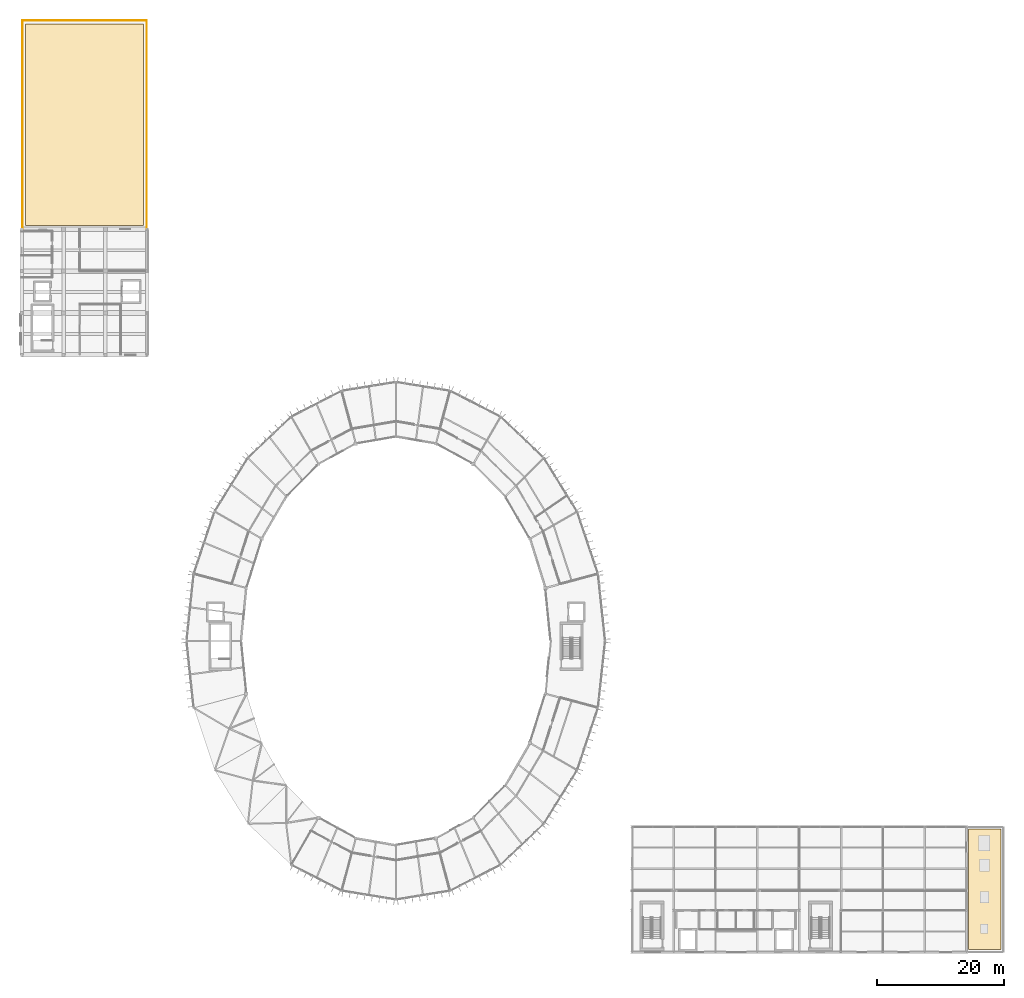
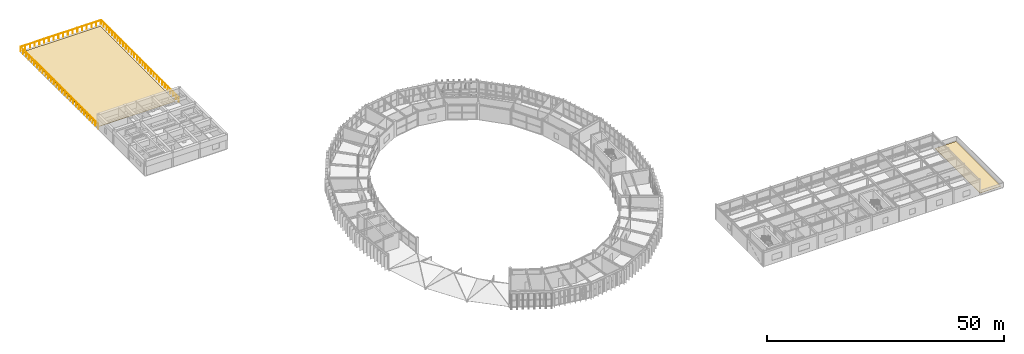
# One storey, part 106 of 106: 2 coverings, 1 railing.
"""IFC4 building model written with IfcOpenShell, lengths in metres."""

import ifcopenshell
import ifcopenshell.guid

model = None  # the IFC model being written
_history = None  # IfcOwnerHistory: only IFC2X3 demands one
_inside = {}  # id of a spatial element -> (the spatial element, [elements in it])
_under = {}  # id of a project, library or spatial element -> (it, [spatial elements below it])
_declared = {}  # id of a project -> (the project, [libraries it declares])
_typed = {}  # id of a type object -> (the type object, [elements of that type])
_made_of = {}  # id of a material, layer set ... -> (it, [elements and type objects made of it])


def new_model(schema):
    """Start an empty IFC model of exactly this schema.

    Asked for "IFC4X3", IfcOpenShell would pick the latest addendum, in which some entities
    have other attributes; the version numbers below select the first issue.
    IFC2X3 requires an IfcOwnerHistory on every rooted entity: one is made here for all.
    """
    global model, _history
    if schema == "IFC4X3":
        model = ifcopenshell.file(schema_version=(4, 3, 0, 0))
    else:
        model = ifcopenshell.file(schema=schema)
    _inside.clear()
    _under.clear()
    _declared.clear()
    _typed.clear()
    _made_of.clear()
    _history = None
    if model.schema == "IFC2X3":
        org = make("IfcOrganization", Name="unknown")
        user = make(
            "IfcPersonAndOrganization",
            ThePerson=make("IfcPerson", FamilyName="unknown"),
            TheOrganization=org,
        )
        app = make(
            "IfcApplication",
            ApplicationDeveloper=org,
            Version="unknown",
            ApplicationFullName="unknown",
            ApplicationIdentifier="unknown",
        )
        _history = make(
            "IfcOwnerHistory",
            OwningUser=user,
            OwningApplication=app,
            ChangeAction="ADDED",
            CreationDate=0,
        )
    return model


def make(cls, **values):
    """One entity of the class cls with the attributes given. An attribute that is None is left unset."""
    return model.create_entity(
        cls, **{name: value for name, value in values.items() if value is not None}
    )


def rooted(cls, **values):
    """An entity with a GlobalId (a new one), such as an element, a storey or a relation."""
    return make(cls, GlobalId=ifcopenshell.guid.new(), OwnerHistory=_history, **values)


def si_unit(unit_type, name, prefix=None):
    """IfcSIUnit, for example si_unit("LENGTHUNIT", "METRE", prefix="MILLI")."""
    return make("IfcSIUnit", UnitType=unit_type, Prefix=prefix, Name=name)


def assignment(units):
    """IfcUnitAssignment: the units of a project."""
    return None if units is None else make("IfcUnitAssignment", Units=units)


def point(xyz):
    """IfcCartesianPoint."""
    return None if xyz is None else make("IfcCartesianPoint", Coordinates=xyz)


def direction(xyz):
    """IfcDirection."""
    return None if xyz is None else make("IfcDirection", DirectionRatios=xyz)


def frame(location, z_axis=None, x_axis=None):
    """IfcAxis2Placement3D, a coordinate frame: its origin and axes. An axis left out is left unset."""
    return make(
        "IfcAxis2Placement3D",
        Location=point(location),
        Axis=direction(z_axis),
        RefDirection=direction(x_axis),
    )


def frame_2d(location, x_axis=None):
    """IfcAxis2Placement2D, a coordinate frame in the plane: its origin and x axis."""
    return make(
        "IfcAxis2Placement2D", Location=point(location), RefDirection=direction(x_axis)
    )


def origin():
    """The frame at (0, 0, 0) with its axes left unset."""
    return frame((0.0, 0.0, 0.0))


def origin_2d():
    """The frame at (0, 0) in the plane with its x axis left unset."""
    return frame_2d((0.0, 0.0))


def place(relative_to, where):
    """IfcLocalPlacement: puts the frame where relative to a parent placement (None: the world)."""
    return make(
        "IfcLocalPlacement", PlacementRelTo=relative_to, RelativePlacement=where
    )


def context(
    kind, dimensions, precision=None, world=None, true_north=None, identifier=None
):
    """IfcGeometricRepresentationContext, for example the 3D "Model" context."""
    return make(
        "IfcGeometricRepresentationContext",
        ContextIdentifier=identifier,
        ContextType=kind,
        CoordinateSpaceDimension=dimensions,
        Precision=precision,
        WorldCoordinateSystem=world,
        TrueNorth=true_north,
    )


def subcontext(parent, identifier, kind, view, scale=None):
    """IfcGeometricRepresentationSubContext, for example "Body" below "Model"."""
    return make(
        "IfcGeometricRepresentationSubContext",
        ContextIdentifier=identifier,
        ContextType=kind,
        ParentContext=parent,
        TargetScale=scale,
        TargetView=view,
    )


def project(units=None, contexts=None):
    """IfcProject with its units and contexts."""
    return rooted(
        "IfcProject",
        Name="project",
        RepresentationContexts=contexts,
        UnitsInContext=assignment(units),
    )


def spatial(cls, under=None, at=None, **own):
    """A site, building, storey or space (cls), placed at a placement, below another one or the project."""
    s = rooted(cls, ObjectPlacement=at, **own)
    if under is not None:
        _under.setdefault(under.id(), (under, []))[1].append(s)
    return s


def polyline(points):
    """IfcPolyline through the points."""
    return make("IfcPolyline", Points=[point(p) for p in points])


def profile(cls, at=None, kind="AREA", **sizes):
    """A parametric profile (cls). Its sizes go by their IFC names, for example OverallWidth=200.0."""
    return make(cls, ProfileType=kind, Position=at, **sizes)


def circle(**sizes):
    """IfcCircleProfileDef."""
    return profile("IfcCircleProfileDef", **sizes)


def outline(outer, holes=None, kind="AREA"):
    """IfcArbitraryClosedProfileDef: a profile drawn as a closed curve; with holes, ...WithVoids."""
    if holes is None:
        return make("IfcArbitraryClosedProfileDef", ProfileType=kind, OuterCurve=outer)
    return make(
        "IfcArbitraryProfileDefWithVoids",
        ProfileType=kind,
        OuterCurve=outer,
        InnerCurves=holes,
    )


def extrude(swept, where, along, depth):
    """IfcExtrudedAreaSolid: the profile swept, set in the frame where, extruded along a direction by depth."""
    return make(
        "IfcExtrudedAreaSolid",
        SweptArea=swept,
        Position=where,
        ExtrudedDirection=direction(along),
        Depth=depth,
    )


def shape(context_of_items, identifier, shape_type, items):
    """IfcShapeRepresentation: the items that make up one representation, for example the "Body"."""
    return make(
        "IfcShapeRepresentation",
        ContextOfItems=context_of_items,
        RepresentationIdentifier=identifier,
        RepresentationType=shape_type,
        Items=items,
    )


def material(Name=None, Category=None):
    """IfcMaterial."""
    return make("IfcMaterial", Name=Name, Category=Category)


def layer(
    of_material, thickness, ventilated=None, Name=None, Category=None, Priority=None
):
    """IfcMaterialLayer: one layer of a wall or slab, of a material (None: an air gap)."""
    return make(
        "IfcMaterialLayer",
        Material=of_material,
        LayerThickness=thickness,
        IsVentilated=ventilated,
        Name=Name,
        Category=Category,
        Priority=Priority,
    )


def layer_set(layers, Name=None):
    """IfcMaterialLayerSet."""
    return make("IfcMaterialLayerSet", MaterialLayers=layers, LayerSetName=Name)


def made_of(thing, what):
    """Note that an element or type object is made of a material, layer set ...; save() writes the relation."""
    if what is not None:
        _made_of.setdefault(what.id(), (what, []))[1].append(thing)
    return thing


def type_object(cls, material=None, **own):
    """A type object (cls), such as IfcWallType, which elements share."""
    return made_of(rooted(cls, **own), material)


def element(
    cls,
    number,
    at=None,
    inside=None,
    cuts=None,
    type_object=None,
    material=None,
    context=None,
    identifier="Body",
    shape_type=None,
    held_by="IfcProductDefinitionShape",
    body=None,
    shapes=None,
    **own,
):
    """One element of the class cls, such as IfcWall. Its Tag is "e" and its number.

    at: its placement. inside: the storey or other place that contains it. cuts: it is an
    opening in that element (IfcRelVoidsElement). A single representation is given by context,
    identifier, shape_type and body (its items); several are given by shapes. held_by: the class
    of the entity that holds the representations. save() writes the other relations.
    """
    e = rooted(cls, Tag="e%d" % number, ObjectPlacement=at, **own)
    if body is not None:
        shapes = [shape(context, identifier, shape_type, body)]
    if shapes is not None:
        e.Representation = make(held_by, Representations=shapes)
    if inside is not None:
        _inside.setdefault(inside.id(), (inside, []))[1].append(e)
    if cuts is not None:
        rooted(
            "IfcRelVoidsElement", RelatingBuildingElement=cuts, RelatedOpeningElement=e
        )
    if type_object is not None:
        _typed.setdefault(type_object.id(), (type_object, []))[1].append(e)
    return made_of(e, material)


def aggregate(whole, parts):
    """IfcRelAggregates: a whole, such as a stair, and the parts it consists of."""
    return rooted("IfcRelAggregates", RelatingObject=whole, RelatedObjects=parts)


def save(model, path):
    """Write the relations noted so far, then the file.

    IfcRelAggregates (storeys below a building ...), IfcRelContainedInSpatialStructure (elements
    in a storey), IfcRelDefinesByType, IfcRelAssociatesMaterial and IfcRelDeclares: one each for
    every whole, place, type object, material and project.
    """
    for whole, parts in _under.values():
        aggregate(whole, parts)
    for where, things in _inside.values():
        rooted(
            "IfcRelContainedInSpatialStructure",
            RelatedElements=things,
            RelatingStructure=where,
        )
    for kind, things in _typed.values():
        rooted("IfcRelDefinesByType", RelatedObjects=things, RelatingType=kind)
    for what, things in _made_of.values():
        rooted("IfcRelAssociatesMaterial", RelatedObjects=things, RelatingMaterial=what)
    for by, libraries in _declared.values():
        rooted("IfcRelDeclares", RelatingContext=by, RelatedDefinitions=libraries)
    model.write(path)


model = new_model("IFC4")

# Units and contexts
model_context = context("Model", 3, precision=1e-05, world=origin(), true_north=direction((0.0, 1.0)))
body_context = subcontext(model_context, "Body", "Model", "MODEL_VIEW")
ifc_project = project(units=[si_unit("LENGTHUNIT", "METRE"), si_unit("AREAUNIT", "SQUARE_METRE"), si_unit("VOLUMEUNIT", "CUBIC_METRE"), si_unit("PLANEANGLEUNIT", "RADIAN"), si_unit("MASSUNIT", "GRAM", prefix="KILO")], contexts=[model_context])

# Site, building, storey
site_placement = place(None, origin())
site = spatial("IfcSite", under=ifc_project, at=site_placement, CompositionType="ELEMENT")
building_placement = place(site_placement, origin())
building = spatial("IfcBuilding", under=site, at=building_placement, Name="Karori Crest Natural Sciences Institute", CompositionType="ELEMENT")
storey_placement = place(building_placement, frame((0.0, 0.0, 25.89990234375)))
storey = spatial("IfcBuildingStorey", under=building, at=storey_placement, Name="L06", CompositionType="ELEMENT", Elevation=25.89990234375)

# Coverings
ifc_material_1 = material(Name="Planted coastal roof garden substrate and membrane")
ifc_layer = layer(ifc_material_1, 0.080078125, Name="Planted coastal roof garden substrate and membrane")
ifc_layer_set = layer_set([ifc_layer], Name="Planted coastal roof garden substrate and membrane")
covering_type = type_object("IfcCoveringType", Name="CVT-ROOF", PredefinedType="ROOFING", material=ifc_layer_set)
covering_1_placement = place(storey_placement, origin())
element("IfcCovering", 1, at=covering_1_placement, inside=storey, type_object=covering_type, Name="Roof garden substrate RF-0003", PredefinedType="ROOFING", context=body_context, shape_type="SweptSolid", body=[
    extrude(outline(polyline([(8.0, 115.39990234375), (26.60009765625, 115.39990234375), (26.60009765625, 147.199951171875), (8.0, 147.199951171875), (8.0, 115.39990234375)])), origin(), (0.0, 0.0, 1.0), 0.080078125),
])
covering_2_placement = place(storey_placement, origin())
element("IfcCovering", 2, at=covering_2_placement, inside=storey, type_object=covering_type, Name="Roof membrane and garden covering RF-0004", PredefinedType="ROOFING", context=body_context, shape_type="SweptSolid", body=[
    extrude(outline(polyline([(156.699951171875, 1.199951171875), (161.800048828125, 1.199951171875), (161.800048828125, 20.199951171875), (156.699951171875, 20.199951171875), (156.699951171875, 1.199951171875)])), origin(), (0.0, 0.0, 1.0), 0.080078125),
])

# Railing
ifc_material_2 = material(Name="Stainless steel 316 balustrade", Category="steel")
railing_type = type_object("IfcRailingType", Name="RLT-GRD", PredefinedType="GUARDRAIL", material=ifc_material_2)
railing_placement = place(storey_placement, frame((7.5, 114.89990234375, 0.0)))
element("IfcRailing", 3, at=railing_placement, inside=storey, type_object=railing_type, Name="V4 L06 roof garden guard GR-0013", PredefinedType="GUARDRAIL", context=body_context, shape_type="SweptSolid", body=[
    extrude(circle(Radius=0.02392578125, at=origin_2d()), frame((0.0, 0.0, 1.17578125), z_axis=(0.0, 1.0, 0.0), x_axis=(-1.0, 0.0, 0.0)), (0.0, 0.0, 1.0), 32.800048828125),
    extrude(circle(Radius=0.02392578125, at=origin_2d()), frame((0.0, 32.800048828125, 1.17578125), z_axis=(1.0, 0.0, 0.0), x_axis=(0.0, 1.0, 0.0)), (0.0, 0.0, 1.0), 19.60009765625),
    extrude(circle(Radius=0.02392578125, at=origin_2d()), frame((19.60009765625, 32.800048828125, 1.17578125), z_axis=(0.0, -1.0, 0.0), x_axis=(1.0, 0.0, 0.0)), (0.0, 0.0, 1.0), 32.800048828125),
    extrude(circle(Radius=0.02099609375, at=origin_2d()), origin(), (0.0, 0.0, 1.0), 1.15185546875),
    extrude(circle(Radius=0.02099609375, at=origin_2d()), frame((0.0, 1.17138671875, 0.0)), (0.0, 0.0, 1.0), 1.15185546875),
    extrude(circle(Radius=0.02099609375, at=origin_2d()), frame((0.0, 2.3427734375, 0.0)), (0.0, 0.0, 1.0), 1.15185546875),
    extrude(circle(Radius=0.02099609375, at=origin_2d()), frame((0.0, 3.514404296875, 0.0)), (0.0, 0.0, 1.0), 1.15185546875),
    extrude(circle(Radius=0.02099609375, at=origin_2d()), frame((0.0, 4.685791015625, 0.0)), (0.0, 0.0, 1.0), 1.15185546875),
    extrude(circle(Radius=0.02099609375, at=origin_2d()), frame((0.0, 5.857177734375, 0.0)), (0.0, 0.0, 1.0), 1.15185546875),
    extrude(circle(Radius=0.02099609375, at=origin_2d()), frame((0.0, 7.028564453125, 0.0)), (0.0, 0.0, 1.0), 1.15185546875),
    extrude(circle(Radius=0.02099609375, at=origin_2d()), frame((0.0, 8.199951171875, 0.0)), (0.0, 0.0, 1.0), 1.15185546875),
    extrude(circle(Radius=0.02099609375, at=origin_2d()), frame((0.0, 9.371337890625, 0.0)), (0.0, 0.0, 1.0), 1.15185546875),
    extrude(circle(Radius=0.02099609375, at=origin_2d()), frame((0.0, 10.54296875, 0.0)), (0.0, 0.0, 1.0), 1.15185546875),
    extrude(circle(Radius=0.02099609375, at=origin_2d()), frame((0.0, 11.71435546875, 0.0)), (0.0, 0.0, 1.0), 1.15185546875),
    extrude(circle(Radius=0.02099609375, at=origin_2d()), frame((0.0, 12.8857421875, 0.0)), (0.0, 0.0, 1.0), 1.15185546875),
    extrude(circle(Radius=0.02099609375, at=origin_2d()), frame((0.0, 14.05712890625, 0.0)), (0.0, 0.0, 1.0), 1.15185546875),
    extrude(circle(Radius=0.02099609375, at=origin_2d()), frame((0.0, 15.228515625, 0.0)), (0.0, 0.0, 1.0), 1.15185546875),
    extrude(circle(Radius=0.02099609375, at=origin_2d()), frame((0.0, 16.39990234375, 0.0)), (0.0, 0.0, 1.0), 1.15185546875),
    extrude(circle(Radius=0.02099609375, at=origin_2d()), frame((0.0, 17.571533203125, 0.0)), (0.0, 0.0, 1.0), 1.15185546875),
    extrude(circle(Radius=0.02099609375, at=origin_2d()), frame((0.0, 18.742919921875, 0.0)), (0.0, 0.0, 1.0), 1.15185546875),
    extrude(circle(Radius=0.02099609375, at=origin_2d()), frame((0.0, 19.914306640625, 0.0)), (0.0, 0.0, 1.0), 1.15185546875),
    extrude(circle(Radius=0.02099609375, at=origin_2d()), frame((0.0, 21.085693359375, 0.0)), (0.0, 0.0, 1.0), 1.15185546875),
    extrude(circle(Radius=0.02099609375, at=origin_2d()), frame((0.0, 22.257080078125, 0.0)), (0.0, 0.0, 1.0), 1.15185546875),
    extrude(circle(Radius=0.02099609375, at=origin_2d()), frame((0.0, 23.4287109375, 0.0)), (0.0, 0.0, 1.0), 1.15185546875),
    extrude(circle(Radius=0.02099609375, at=origin_2d()), frame((0.0, 24.60009765625, 0.0)), (0.0, 0.0, 1.0), 1.15185546875),
    extrude(circle(Radius=0.02099609375, at=origin_2d()), frame((0.0, 25.771484375, 0.0)), (0.0, 0.0, 1.0), 1.15185546875),
    extrude(circle(Radius=0.02099609375, at=origin_2d()), frame((0.0, 26.94287109375, 0.0)), (0.0, 0.0, 1.0), 1.15185546875),
    extrude(circle(Radius=0.02099609375, at=origin_2d()), frame((0.0, 28.1142578125, 0.0)), (0.0, 0.0, 1.0), 1.15185546875),
    extrude(circle(Radius=0.02099609375, at=origin_2d()), frame((0.0, 29.28564453125, 0.0)), (0.0, 0.0, 1.0), 1.15185546875),
    extrude(circle(Radius=0.02099609375, at=origin_2d()), frame((0.0, 30.457275390625, 0.0)), (0.0, 0.0, 1.0), 1.15185546875),
    extrude(circle(Radius=0.02099609375, at=origin_2d()), frame((0.0, 31.628662109375, 0.0)), (0.0, 0.0, 1.0), 1.15185546875),
    extrude(circle(Radius=0.02099609375, at=origin_2d()), frame((0.0, 32.800048828125, 0.0)), (0.0, 0.0, 1.0), 1.15185546875),
    extrude(circle(Radius=0.02099609375, at=origin_2d()), frame((1.15283203125, 32.800048828125, 0.0)), (0.0, 0.0, 1.0), 1.15185546875),
    extrude(circle(Radius=0.02099609375, at=origin_2d()), frame((2.305908203125, 32.800048828125, 0.0)), (0.0, 0.0, 1.0), 1.15185546875),
    extrude(circle(Radius=0.02099609375, at=origin_2d()), frame((3.458740234375, 32.800048828125, 0.0)), (0.0, 0.0, 1.0), 1.15185546875),
    extrude(circle(Radius=0.02099609375, at=origin_2d()), frame((4.61181640625, 32.800048828125, 0.0)), (0.0, 0.0, 1.0), 1.15185546875),
    extrude(circle(Radius=0.02099609375, at=origin_2d()), frame((5.7646484375, 32.800048828125, 0.0)), (0.0, 0.0, 1.0), 1.15185546875),
    extrude(circle(Radius=0.02099609375, at=origin_2d()), frame((6.917724609375, 32.800048828125, 0.0)), (0.0, 0.0, 1.0), 1.15185546875),
    extrude(circle(Radius=0.02099609375, at=origin_2d()), frame((8.070556640625, 32.800048828125, 0.0)), (0.0, 0.0, 1.0), 1.15185546875),
    extrude(circle(Radius=0.02099609375, at=origin_2d()), frame((9.2236328125, 32.800048828125, 0.0)), (0.0, 0.0, 1.0), 1.15185546875),
    extrude(circle(Radius=0.02099609375, at=origin_2d()), frame((10.37646484375, 32.800048828125, 0.0)), (0.0, 0.0, 1.0), 1.15185546875),
    extrude(circle(Radius=0.02099609375, at=origin_2d()), frame((11.529541015625, 32.800048828125, 0.0)), (0.0, 0.0, 1.0), 1.15185546875),
    extrude(circle(Radius=0.02099609375, at=origin_2d()), frame((12.682373046875, 32.800048828125, 0.0)), (0.0, 0.0, 1.0), 1.15185546875),
    extrude(circle(Radius=0.02099609375, at=origin_2d()), frame((13.83544921875, 32.800048828125, 0.0)), (0.0, 0.0, 1.0), 1.15185546875),
    extrude(circle(Radius=0.02099609375, at=origin_2d()), frame((14.98828125, 32.800048828125, 0.0)), (0.0, 0.0, 1.0), 1.15185546875),
    extrude(circle(Radius=0.02099609375, at=origin_2d()), frame((16.141357421875, 32.800048828125, 0.0)), (0.0, 0.0, 1.0), 1.15185546875),
    extrude(circle(Radius=0.02099609375, at=origin_2d()), frame((17.294189453125, 32.800048828125, 0.0)), (0.0, 0.0, 1.0), 1.15185546875),
    extrude(circle(Radius=0.02099609375, at=origin_2d()), frame((18.447265625, 32.800048828125, 0.0)), (0.0, 0.0, 1.0), 1.15185546875),
    extrude(circle(Radius=0.02099609375, at=origin_2d()), frame((19.60009765625, 32.800048828125, 0.0)), (0.0, 0.0, 1.0), 1.15185546875),
    extrude(circle(Radius=0.02099609375, at=origin_2d()), frame((19.60009765625, 31.628662109375, 0.0)), (0.0, 0.0, 1.0), 1.15185546875),
    extrude(circle(Radius=0.02099609375, at=origin_2d()), frame((19.60009765625, 30.457275390625, 0.0)), (0.0, 0.0, 1.0), 1.15185546875),
    extrude(circle(Radius=0.02099609375, at=origin_2d()), frame((19.60009765625, 29.28564453125, 0.0)), (0.0, 0.0, 1.0), 1.15185546875),
    extrude(circle(Radius=0.02099609375, at=origin_2d()), frame((19.60009765625, 28.1142578125, 0.0)), (0.0, 0.0, 1.0), 1.15185546875),
    extrude(circle(Radius=0.02099609375, at=origin_2d()), frame((19.60009765625, 26.94287109375, 0.0)), (0.0, 0.0, 1.0), 1.15185546875),
    extrude(circle(Radius=0.02099609375, at=origin_2d()), frame((19.60009765625, 25.771484375, 0.0)), (0.0, 0.0, 1.0), 1.15185546875),
    extrude(circle(Radius=0.02099609375, at=origin_2d()), frame((19.60009765625, 24.60009765625, 0.0)), (0.0, 0.0, 1.0), 1.15185546875),
    extrude(circle(Radius=0.02099609375, at=origin_2d()), frame((19.60009765625, 23.4287109375, 0.0)), (0.0, 0.0, 1.0), 1.15185546875),
    extrude(circle(Radius=0.02099609375, at=origin_2d()), frame((19.60009765625, 22.257080078125, 0.0)), (0.0, 0.0, 1.0), 1.15185546875),
    extrude(circle(Radius=0.02099609375, at=origin_2d()), frame((19.60009765625, 21.085693359375, 0.0)), (0.0, 0.0, 1.0), 1.15185546875),
    extrude(circle(Radius=0.02099609375, at=origin_2d()), frame((19.60009765625, 19.914306640625, 0.0)), (0.0, 0.0, 1.0), 1.15185546875),
    extrude(circle(Radius=0.02099609375, at=origin_2d()), frame((19.60009765625, 18.742919921875, 0.0)), (0.0, 0.0, 1.0), 1.15185546875),
    extrude(circle(Radius=0.02099609375, at=origin_2d()), frame((19.60009765625, 17.571533203125, 0.0)), (0.0, 0.0, 1.0), 1.15185546875),
    extrude(circle(Radius=0.02099609375, at=origin_2d()), frame((19.60009765625, 16.39990234375, 0.0)), (0.0, 0.0, 1.0), 1.15185546875),
    extrude(circle(Radius=0.02099609375, at=origin_2d()), frame((19.60009765625, 15.228515625, 0.0)), (0.0, 0.0, 1.0), 1.15185546875),
    extrude(circle(Radius=0.02099609375, at=origin_2d()), frame((19.60009765625, 14.05712890625, 0.0)), (0.0, 0.0, 1.0), 1.15185546875),
    extrude(circle(Radius=0.02099609375, at=origin_2d()), frame((19.60009765625, 12.8857421875, 0.0)), (0.0, 0.0, 1.0), 1.15185546875),
    extrude(circle(Radius=0.02099609375, at=origin_2d()), frame((19.60009765625, 11.71435546875, 0.0)), (0.0, 0.0, 1.0), 1.15185546875),
    extrude(circle(Radius=0.02099609375, at=origin_2d()), frame((19.60009765625, 10.54296875, 0.0)), (0.0, 0.0, 1.0), 1.15185546875),
    extrude(circle(Radius=0.02099609375, at=origin_2d()), frame((19.60009765625, 9.371337890625, 0.0)), (0.0, 0.0, 1.0), 1.15185546875),
    extrude(circle(Radius=0.02099609375, at=origin_2d()), frame((19.60009765625, 8.199951171875, 0.0)), (0.0, 0.0, 1.0), 1.15185546875),
    extrude(circle(Radius=0.02099609375, at=origin_2d()), frame((19.60009765625, 7.028564453125, 0.0)), (0.0, 0.0, 1.0), 1.15185546875),
    extrude(circle(Radius=0.02099609375, at=origin_2d()), frame((19.60009765625, 5.857177734375, 0.0)), (0.0, 0.0, 1.0), 1.15185546875),
    extrude(circle(Radius=0.02099609375, at=origin_2d()), frame((19.60009765625, 4.685791015625, 0.0)), (0.0, 0.0, 1.0), 1.15185546875),
    extrude(circle(Radius=0.02099609375, at=origin_2d()), frame((19.60009765625, 3.514404296875, 0.0)), (0.0, 0.0, 1.0), 1.15185546875),
    extrude(circle(Radius=0.02099609375, at=origin_2d()), frame((19.60009765625, 2.3427734375, 0.0)), (0.0, 0.0, 1.0), 1.15185546875),
    extrude(circle(Radius=0.02099609375, at=origin_2d()), frame((19.60009765625, 1.17138671875, 0.0)), (0.0, 0.0, 1.0), 1.15185546875),
    extrude(circle(Radius=0.02099609375, at=origin_2d()), frame((19.60009765625, 0.0, 0.0)), (0.0, 0.0, 1.0), 1.15185546875),
])

save(model, "model.ifc")
